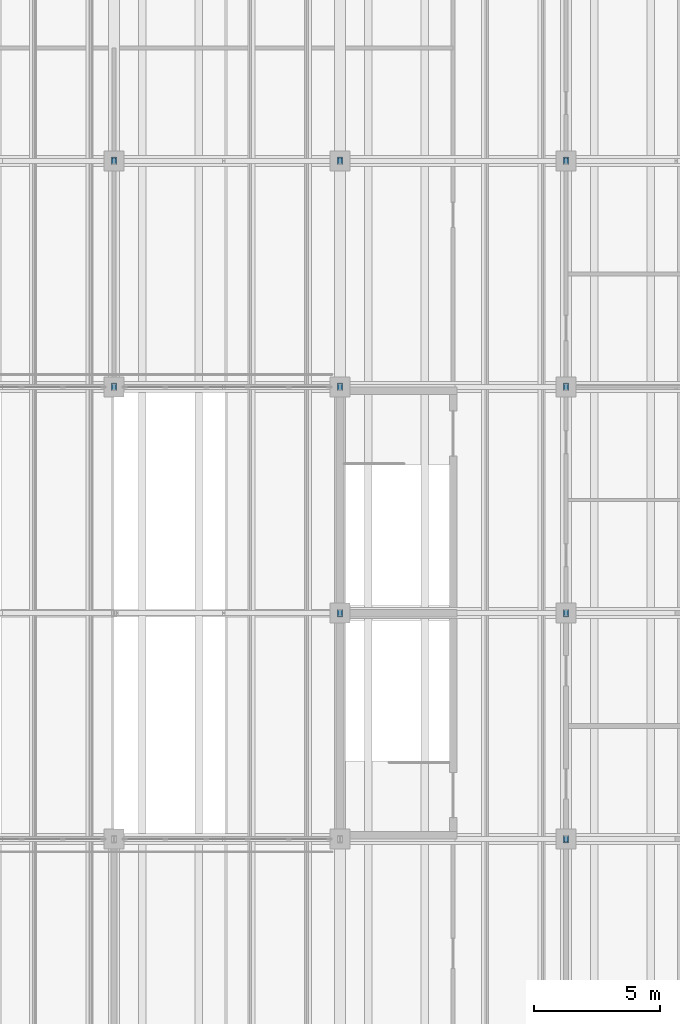
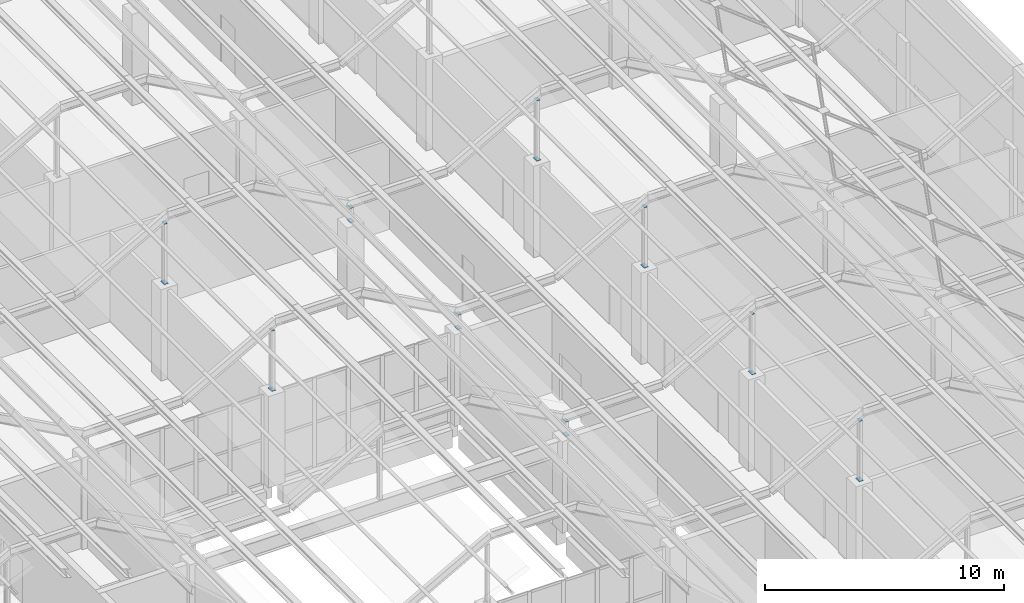
# One storey, part 345 of 437: 18 discrete accessories.
"""IFC4 building model written with IfcOpenShell, lengths in metres."""

from ifc_helpers import new_model, si_unit, direction, frame, origin, origin_2d, place, context, subcontext, project, spatial, rectangle, extrude, material, layer, layer_set, type_object, element, save


model = new_model("IFC4")

# Units and contexts
model_context = context("Model", 3, precision=1e-05, world=origin(), true_north=direction((0.0, 1.0)))
body_context = subcontext(model_context, "Body", "Model", "MODEL_VIEW")
ifc_project = project(units=[si_unit("LENGTHUNIT", "METRE"), si_unit("AREAUNIT", "SQUARE_METRE"), si_unit("VOLUMEUNIT", "CUBIC_METRE"), si_unit("PLANEANGLEUNIT", "RADIAN"), si_unit("MASSUNIT", "GRAM", prefix="KILO")], contexts=[model_context])

# Site, building, storey
site_placement = place(None, origin())
site = spatial("IfcSite", under=ifc_project, at=site_placement, CompositionType="ELEMENT")
building_placement = place(site_placement, origin())
building = spatial("IfcBuilding", under=site, at=building_placement, Name="Opaline Strait Convention Centre", CompositionType="ELEMENT")
storey_placement = place(building_placement, frame((0.0, 0.0, 11.5)))
storey = spatial("IfcBuildingStorey", under=building, at=storey_placement, Name="L02", CompositionType="ELEMENT", Elevation=11.5)

# Discrete accessories
ifc_material = material(Name="Steel Q355B", Category="steel")
ifc_layer_1 = layer(ifc_material, 0.02001953125)
ifc_layer_set_1 = layer_set([ifc_layer_1], Name="Steel Q355B")
discrete_accessory_type_1 = type_object("IfcDiscreteAccessoryType", Name="Roof post base plate 300 x 200 x 20", PredefinedType="ANCHORPLATE", material=ifc_layer_set_1)
for number, where, z_axis, x_axis, name in (
    (1, (63.0, 45.0, 4.669921875), (0.0, 0.0, 1.0), (1.0, 0.0, 0.0), "Roof post base plate at 63/45"),
    (2, (54.0, 54.0, 4.669921875), (0.0, 0.0, 1.0), (1.0, 0.0, 0.0), "Roof post base plate at 54/54"),
    (3, (63.0, 54.0, 4.669921875), (0.0, 0.0, 1.0), (1.0, 0.0, 0.0), "Roof post base plate at 63/54"),
    (4, (45.0, 63.0, 4.669921875), (0.0, 0.0, 1.0), (1.0, 0.0, 0.0), "Roof post base plate at 45/63"),
    (5, (54.0, 63.0, 4.669921875), (0.0, 0.0, 1.0), (1.0, 0.0, 0.0), "Roof post base plate at 54/63"),
    (6, (63.0, 63.0, 4.669921875), (0.0, 0.0, 1.0), (1.0, 0.0, 0.0), "Roof post base plate at 63/63"),
    (7, (45.0, 72.0, 4.669921875), (0.0, 0.0, 1.0), (1.0, 0.0, 0.0), "Roof post base plate at 45/72"),
    (8, (54.0, 72.0, 4.669921875), (0.0, 0.0, 1.0), (1.0, 0.0, 0.0), "Roof post base plate at 54/72"),
    (9, (63.0, 72.0, 4.669921875), (0.0, 0.0, 1.0), (1.0, 0.0, 0.0), "Roof post base plate at 63/72"),
):
    element("IfcDiscreteAccessory", number, at=place(storey_placement, frame(where, z_axis=z_axis, x_axis=x_axis)), inside=storey, type_object=discrete_accessory_type_1, Name=name, PredefinedType="ANCHORPLATE", context=body_context, shape_type="SweptSolid", body=[
        extrude(rectangle(XDim=0.199951171875, YDim=0.300048828125, at=origin_2d()), origin(), (0.0, 0.0, 1.0), 0.02001953125),
    ])
ifc_layer_2 = layer(ifc_material, 0.014892578125)
ifc_layer_set_2 = layer_set([ifc_layer_2], Name="Steel Q355B")
discrete_accessory_type_2 = type_object("IfcDiscreteAccessoryType", Name="Roof post cap plate 250 x 150 x 15", PredefinedType="ANCHORPLATE", material=ifc_layer_set_2)
for number, where, z_axis, x_axis, name in (
    (10, (63.0, 45.0, 7.72119140625), (0.0, 0.0, 1.0), (1.0, 0.0, 0.0), "Roof post cap plate at 63/45"),
    (11, (54.0, 54.0, 5.38525390625), (0.0, 0.0, 1.0), (1.0, 0.0, 0.0), "Roof post cap plate at 54/54"),
    (12, (63.0, 54.0, 7.72119140625), (0.0, 0.0, 1.0), (1.0, 0.0, 0.0), "Roof post cap plate at 63/54"),
    (13, (45.0, 63.0, 7.72119140625), (0.0, 0.0, 1.0), (1.0, 0.0, 0.0), "Roof post cap plate at 45/63"),
    (14, (54.0, 63.0, 5.38525390625), (0.0, 0.0, 1.0), (1.0, 0.0, 0.0), "Roof post cap plate at 54/63"),
    (15, (63.0, 63.0, 7.72119140625), (0.0, 0.0, 1.0), (1.0, 0.0, 0.0), "Roof post cap plate at 63/63"),
    (16, (45.0, 72.0, 7.72119140625), (0.0, 0.0, 1.0), (1.0, 0.0, 0.0), "Roof post cap plate at 45/72"),
    (17, (54.0, 72.0, 5.38525390625), (0.0, 0.0, 1.0), (1.0, 0.0, 0.0), "Roof post cap plate at 54/72"),
    (18, (63.0, 72.0, 7.72119140625), (0.0, 0.0, 1.0), (1.0, 0.0, 0.0), "Roof post cap plate at 63/72"),
):
    element("IfcDiscreteAccessory", number, at=place(storey_placement, frame(where, z_axis=z_axis, x_axis=x_axis)), inside=storey, type_object=discrete_accessory_type_2, Name=name, PredefinedType="ANCHORPLATE", context=body_context, shape_type="SweptSolid", body=[
        extrude(rectangle(XDim=0.14990234375, YDim=0.25, at=origin_2d()), origin(), (0.0, 0.0, 1.0), 0.014892578125),
    ])

save(model, "model.ifc")
